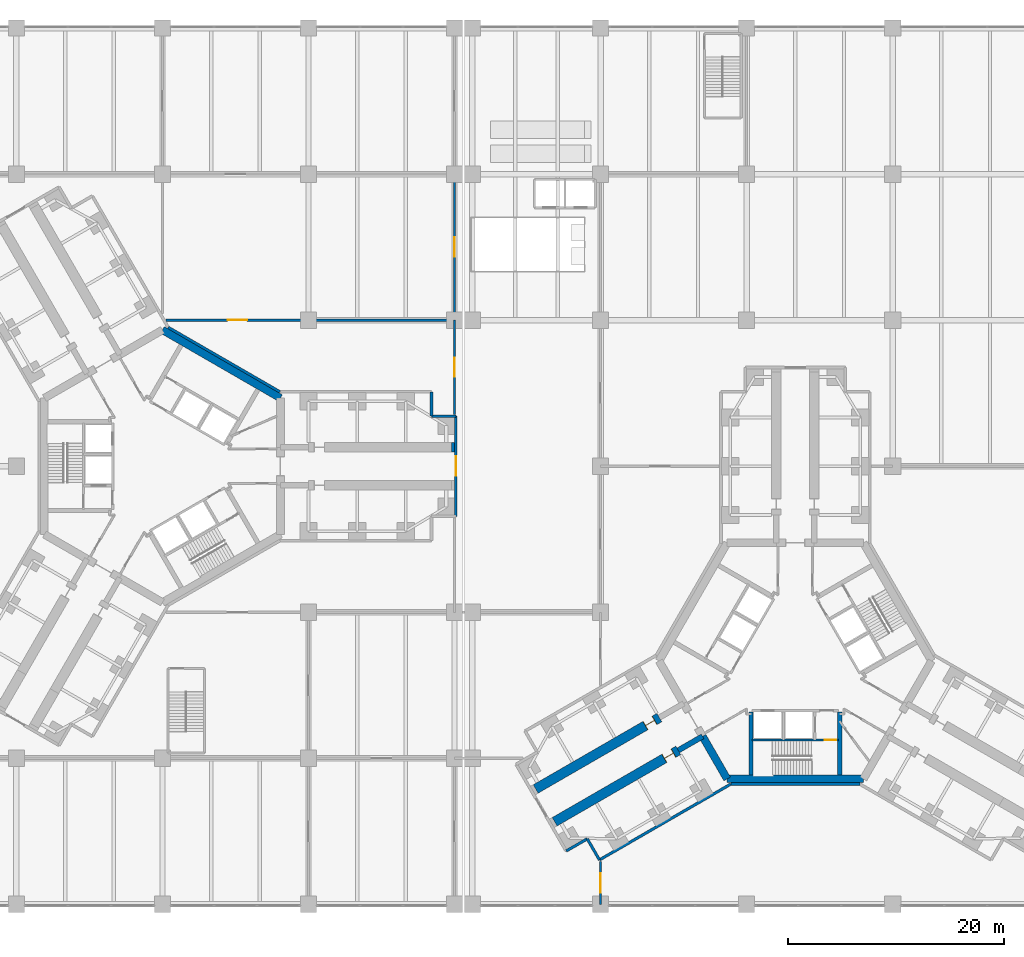
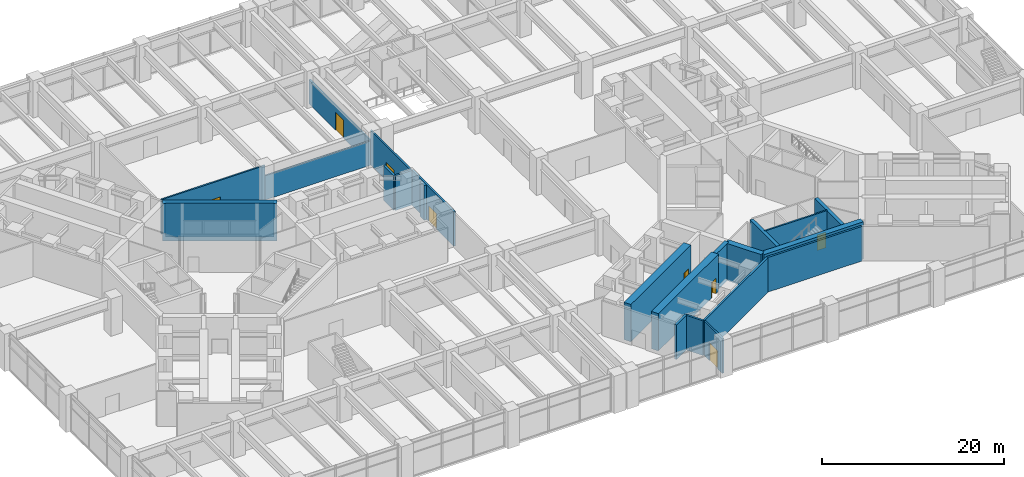
# One storey, part 24 of 32: 23 walls, 8 doors, 8 openings.
"""IFC4 building model written with IfcOpenShell, lengths in metres."""

from ifc_helpers import new_model, si_unit, direction, frame, frame_2d, origin, place, context, subcontext, project, spatial, rectangle, extrude, material, layer, layer_set, type_object, element, fill, save


model = new_model("IFC4")

# Units and contexts
model_context = context("Model", 3, precision=1e-05, world=origin(), true_north=direction((0.0, 1.0)))
body_context = subcontext(model_context, "Body", "Model", "MODEL_VIEW")
ifc_project = project(units=[si_unit("LENGTHUNIT", "METRE"), si_unit("AREAUNIT", "SQUARE_METRE"), si_unit("VOLUMEUNIT", "CUBIC_METRE"), si_unit("PLANEANGLEUNIT", "RADIAN"), si_unit("MASSUNIT", "GRAM", prefix="KILO")], contexts=[model_context])

# Site, building, storey
site_placement = place(None, origin())
site = spatial("IfcSite", under=ifc_project, at=site_placement, CompositionType="ELEMENT")
building_placement = place(site_placement, origin())
building = spatial("IfcBuilding", under=site, at=building_placement, Name="Upepo Twin Towers", CompositionType="ELEMENT")
storey_placement = place(building_placement, frame((0.0, 0.0, 5.5)))
storey = spatial("IfcBuildingStorey", under=building, at=storey_placement, Name="L01", CompositionType="ELEMENT", Elevation=5.5)

# Walls
ifc_material_1 = material(Name="Dense concrete blockwork", Category="masonry")
ifc_layer_1 = layer(ifc_material_1, 0.89990234375)
ifc_layer_set_1 = layer_set([ifc_layer_1], Name="Buttress closer 900, blockwork with fire-stopping to the curtain wall")
wall_type_1 = type_object("IfcWallType", Name="Buttress closer 900, blockwork with fire-stopping to the curtain wall", PredefinedType="PARTITIONING", material=ifc_layer_set_1)
wall_1_placement = place(storey_placement, frame((26.699951171875, 1.75, 0.0), z_axis=(0.0, 0.0, 1.0), x_axis=(1.0, 0.0, 0.0)))
element("IfcWall", 1, at=wall_1_placement, inside=storey, type_object=wall_type_1, Name="T1 L01 wing A buttress closer L", PredefinedType="PARTITIONING", context=body_context, shape_type="SweptSolid", body=[
    extrude(rectangle(XDim=0.300048828125, YDim=0.89990234375, at=frame_2d((0.14990234375, 0.0))), origin(), (0.0, 0.0, 1.0), 4.64990234375),
])
ifc_material_2 = material(Name="Concrete C60/75", Category="concrete")
ifc_layer_2 = layer(ifc_material_2, 0.5)
ifc_layer_set_2 = layer_set([ifc_layer_2], Name="Concrete C60/75")
wall_type_2 = type_object("IfcWallType", Name="Buttress wall 500 RC", PredefinedType="SHEAR", material=ifc_layer_set_2)
wall_2_placement = place(storey_placement, frame((49.92822265625, -24.9697265625, 0.0), z_axis=(0.0, 0.0, 1.0), x_axis=(-0.866031863473, -0.499988811324, 0.0)))
element("IfcWall", 2, at=wall_2_placement, inside=storey, type_object=wall_type_2, Name="T2 wing B buttress wall L", PredefinedType="SHEAR", context=body_context, shape_type="SweptSolid", body=[
    extrude(rectangle(XDim=2.591796875, YDim=0.5, at=frame_2d((1.2958984375, 0.0))), origin(), (0.0, 0.0, 1.0), 5.0),
])

# Wall, opening, door
ifc_material_3 = material(Name="Concrete C60/75", Category="concrete")
ifc_layer_3 = layer(ifc_material_3, 0.89990234375)
ifc_layer_set_3 = layer_set([ifc_layer_3], Name="Concrete C60/75")
wall_type_3 = type_object("IfcWallType", Name="Buttress wall 900 RC", PredefinedType="SHEAR", material=ifc_layer_set_3)
wall_3_placement = place(storey_placement, frame((47.68359375, -26.265625, 0.0), z_axis=(0.0, 0.0, 1.0), x_axis=(-0.866027579429, -0.499996231654, 0.0)))
wall_3 = element("IfcWall", 3, at=wall_3_placement, inside=storey, type_object=wall_type_3, Name="T2 wing B buttress wall L part 2", PredefinedType="SHEAR", context=body_context, shape_type="SweptSolid", body=[
    extrude(rectangle(XDim=13.19970703125, YDim=0.89990234375, at=frame_2d((6.599853515625, 0.0))), origin(), (0.0, 0.0, 1.0), 5.0),
])
opening_1_placement = place(wall_3_placement, frame((0.5, 0.0, 0.0)))
opening_1 = element("IfcOpeningElement", 4, at=opening_1_placement, cuts=wall_3, Name="Opening D1", PredefinedType="OPENING", context=body_context, shape_type="SweptSolid", body=[
    extrude(rectangle(XDim=1.0, YDim=2.10009765625, at=frame_2d((0.5, 1.050048828125))), frame((0.0, 0.4599609375, 0.0), z_axis=(0.0, -1.0, 0.0), x_axis=(1.0, 0.0, 0.0)), (0.0, 0.0, 1.0), 0.919921875),
])
ifc_material_4 = material(Name="Timber doorset", Category="wood")
door_type_1 = type_object("IfcDoorType", Name="Room door 1000 FD30", OperationType="SINGLE_SWING_LEFT", PredefinedType="DOOR", material=ifc_material_4)
door_1_placement = place(opening_1_placement, origin())
door_1 = element("IfcDoor", 5, at=door_1_placement, inside=storey, type_object=door_type_1, Name="T2 L01 faculty office door", OperationType="SINGLE_SWING_LEFT", OverallHeight=2.10009765625, OverallWidth=1.0, PredefinedType="DOOR", context=body_context, shape_type="SweptSolid", body=[
    extrude(rectangle(XDim=0.92, YDim=2.06009765625, at=frame_2d((0.5, 1.030029296875))), frame((0.0, 0.02490234375, 0.0), z_axis=(0.0, -1.0, 0.0), x_axis=(1.0, 0.0, 0.0)), (0.0, 0.0, 1.0), 0.050048828125),
    extrude(rectangle(XDim=0.04, YDim=2.10009765625, at=frame_2d((0.02001953125, 1.050048828125))), frame((0.0, 0.44970703125, 0.0), z_axis=(0.0, -1.0, 0.0), x_axis=(1.0, 0.0, 0.0)), (0.0, 0.0, 1.0), 0.8994140625),
    extrude(rectangle(XDim=0.04, YDim=2.10009765625, at=frame_2d((0.97998046875, 1.050048828125))), frame((0.0, 0.44970703125, 0.0), z_axis=(0.0, -1.0, 0.0), x_axis=(1.0, 0.0, 0.0)), (0.0, 0.0, 1.0), 0.8994140625),
    extrude(rectangle(XDim=0.92, YDim=0.04, at=frame_2d((0.5, 2.080078125))), frame((0.0, 0.44970703125, 0.0), z_axis=(0.0, -1.0, 0.0), x_axis=(1.0, 0.0, 0.0)), (0.0, 0.0, 1.0), 0.8994140625),
])
fill(opening_1, door_1)

wall_4_placement = place(storey_placement, frame((45.93359375, -23.234375, 0.0), z_axis=(0.0, 0.0, 1.0), x_axis=(-0.866019570528, -0.500010103361, 0.0)))
wall_4 = element("IfcWall", 6, at=wall_4_placement, inside=storey, type_object=wall_type_3, Name="T2 wing B buttress wall R part 2", PredefinedType="SHEAR", context=body_context, shape_type="SweptSolid", body=[
    extrude(rectangle(XDim=13.199951171875, YDim=0.89990234375, at=frame_2d((6.60009765625, 0.0))), origin(), (0.0, 0.0, 1.0), 5.0),
])
opening_2_placement = place(wall_4_placement, frame((0.5, 0.0, 0.0)))
opening_2 = element("IfcOpeningElement", 7, at=opening_2_placement, cuts=wall_4, Name="Opening D1", PredefinedType="OPENING", context=body_context, shape_type="SweptSolid", body=[
    extrude(rectangle(XDim=1.0, YDim=2.10009765625, at=frame_2d((0.5, 1.050048828125))), frame((0.0, 0.4599609375, 0.0), z_axis=(0.0, -1.0, 0.0), x_axis=(1.0, 0.0, 0.0)), (0.0, 0.0, 1.0), 0.919921875),
])
door_2_placement = place(opening_2_placement, origin())
door_2 = element("IfcDoor", 8, at=door_2_placement, inside=storey, type_object=door_type_1, Name="T2 L01 faculty office door", OperationType="SINGLE_SWING_LEFT", OverallHeight=2.10009765625, OverallWidth=1.0, PredefinedType="DOOR", context=body_context, shape_type="SweptSolid", body=[
    extrude(rectangle(XDim=0.92, YDim=2.06009765625, at=frame_2d((0.5, 1.030029296875))), frame((0.0, 0.02490234375, 0.0), z_axis=(0.0, -1.0, 0.0), x_axis=(1.0, 0.0, 0.0)), (0.0, 0.0, 1.0), 0.050048828125),
    extrude(rectangle(XDim=0.04, YDim=2.10009765625, at=frame_2d((0.02001953125, 1.050048828125))), frame((0.0, 0.44970703125, 0.0), z_axis=(0.0, -1.0, 0.0), x_axis=(1.0, 0.0, 0.0)), (0.0, 0.0, 1.0), 0.8994140625),
    extrude(rectangle(XDim=0.04, YDim=2.10009765625, at=frame_2d((0.97998046875, 1.050048828125))), frame((0.0, 0.44970703125, 0.0), z_axis=(0.0, -1.0, 0.0), x_axis=(1.0, 0.0, 0.0)), (0.0, 0.0, 1.0), 0.8994140625),
    extrude(rectangle(XDim=0.92, YDim=0.04, at=frame_2d((0.5, 2.080078125))), frame((0.0, 0.44970703125, 0.0), z_axis=(0.0, -1.0, 0.0), x_axis=(1.0, 0.0, 0.0)), (0.0, 0.0, 1.0), 0.8994140625),
])
fill(opening_2, door_2)

# Walls
ifc_material_5 = material(Name="Concrete C60/75", Category="concrete")
ifc_layer_4 = layer(ifc_material_5, 0.699951171875)
ifc_layer_set_4 = layer_set([ifc_layer_4], Name="Concrete C60/75")
wall_type_4 = type_object("IfcWallType", Name="Core wall 700 RC", PredefinedType="SHEAR", material=ifc_layer_set_4)
wall_5_placement = place(storey_placement, frame((10.908447265625, 6.2978515625, 0.0), z_axis=(0.0, 0.0, 1.0), x_axis=(-0.866021940709, 0.500005998175, 0.0)))
element("IfcWall", 9, at=wall_5_placement, inside=storey, type_object=wall_type_4, Name="T1 core wall 060", PredefinedType="SHEAR", context=body_context, shape_type="SweptSolid", body=[
    extrude(rectangle(XDim=12.595947265625, YDim=0.699951171875, at=frame_2d((6.2978515625, 0.0))), origin(), (0.0, 0.0, 1.0), 5.0),
])
wall_6_placement = place(storey_placement, frame((49.92822265625, -24.9697265625, 0.0), z_axis=(0.0, 0.0, 1.0), x_axis=(0.499984222037, -0.866034513004, 0.0)))
element("IfcWall", 10, at=wall_6_placement, inside=storey, type_object=wall_type_4, Name="T2 core wall 120 L", PredefinedType="SHEAR", context=body_context, shape_type="SweptSolid", body=[
    extrude(rectangle(XDim=4.548095703125, YDim=0.699951171875, at=frame_2d((2.27392578125, 0.0))), origin(), (0.0, 0.0, 1.0), 5.0),
])
wall_7_placement = place(storey_placement, frame((52.2021484375, -28.908447265625, 0.0), z_axis=(0.0, 0.0, 1.0), x_axis=(1.0, 0.0, 0.0)))
element("IfcWall", 11, at=wall_7_placement, inside=storey, type_object=wall_type_4, Name="T2 core wall 180", PredefinedType="SHEAR", context=body_context, shape_type="SweptSolid", body=[
    extrude(rectangle(XDim=12.595703125, YDim=0.699951171875, at=frame_2d((6.2978515625, 0.0))), origin(), (0.0, 0.0, 1.0), 5.0),
])

# Wall, opening, door
ifc_material_6 = material(Name="Concrete blockwork", Category="masonry")
ifc_layer_5 = layer(ifc_material_6, 0.199951171875)
ifc_layer_set_5 = layer_set([ifc_layer_5], Name="Podium partition 200 blockwork")
wall_type_5 = type_object("IfcWallType", Name="Podium partition 200 blockwork", PredefinedType="PARTITIONING", material=ifc_layer_set_5)
wall_8_placement = place(storey_placement, frame((0.346435546875, 13.5, 0.0), z_axis=(0.0, 0.0, 1.0), x_axis=(1.0, 0.0, 0.0)))
wall_8 = element("IfcWall", 12, at=wall_8_placement, inside=storey, type_object=wall_type_5, Name="L01 podium wall Y24", PredefinedType="PARTITIONING", context=body_context, shape_type="SweptSolid", body=[
    extrude(rectangle(XDim=13.153564453125, YDim=0.199951171875, at=frame_2d((6.57666015625, 0.0))), origin(), (0.0, 0.0, 1.0), 4.64990234375),
])
opening_3_placement = place(wall_8_placement, frame((5.6767578125, 0.0, 0.0)))
opening_3 = element("IfcOpeningElement", 13, at=opening_3_placement, cuts=wall_8, Name="Opening D10", PredefinedType="OPENING", context=body_context, shape_type="SweptSolid", body=[
    extrude(rectangle(XDim=1.800048828125, YDim=2.39990234375, at=frame_2d((0.89990234375, 1.199951171875))), frame((0.0, 0.10986328125, 0.0), z_axis=(0.0, -1.0, 0.0), x_axis=(1.0, 0.0, 0.0)), (0.0, 0.0, 1.0), 0.219970703125),
])
ifc_material_7 = material(Name="Timber doorset", Category="wood")
door_type_2 = type_object("IfcDoorType", Name="Podium double door 1800", OperationType="DOUBLE_DOOR_DOUBLE_SWING", PredefinedType="DOOR", material=ifc_material_7)
door_3_placement = place(opening_3_placement, origin())
door_3 = element("IfcDoor", 14, at=door_3_placement, inside=storey, type_object=door_type_2, Name="L01 library store-faculty offices 1.02 door", OperationType="DOUBLE_DOOR_DOUBLE_SWING", OverallHeight=2.39990234375, OverallWidth=1.800048828125, PredefinedType="DOOR", context=body_context, shape_type="SweptSolid", body=[
    extrude(rectangle(XDim=1.800048828125, YDim=2.39990234375, at=frame_2d((0.89990234375, 1.199951171875))), frame((0.0, 0.02490234375, 0.0), z_axis=(0.0, -1.0, 0.0), x_axis=(1.0, 0.0, 0.0)), (0.0, 0.0, 1.0), 0.050048828125),
])
fill(opening_3, door_3)

wall_9_placement = place(storey_placement, frame((27.0, 4.800048828125, 0.0), z_axis=(0.0, 0.0, 1.0), x_axis=(0.0, 1.0, 0.0)))
wall_9 = element("IfcWall", 15, at=wall_9_placement, inside=storey, type_object=wall_type_5, Name="L01 podium wall X43", PredefinedType="PARTITIONING", context=body_context, shape_type="SweptSolid", body=[
    extrude(rectangle(XDim=8.699951171875, YDim=0.199951171875, at=frame_2d((4.35009765625, 0.0))), origin(), (0.0, 0.0, 1.0), 4.64990234375),
])
opening_4_placement = place(wall_9_placement, frame((3.449951171875, 0.0, 0.0)))
opening_4 = element("IfcOpeningElement", 16, at=opening_4_placement, cuts=wall_9, Name="Opening D10", PredefinedType="OPENING", context=body_context, shape_type="SweptSolid", body=[
    extrude(rectangle(XDim=1.800048828125, YDim=2.39990234375, at=frame_2d((0.89990234375, 1.199951171875))), frame((0.0, 0.10986328125, 0.0), z_axis=(0.0, -1.0, 0.0), x_axis=(1.0, 0.0, 0.0)), (0.0, 0.0, 1.0), 0.219970703125),
])
door_4_placement = place(opening_4_placement, origin())
door_4 = element("IfcDoor", 17, at=door_4_placement, inside=storey, type_object=door_type_2, Name="L01 library store door", OperationType="DOUBLE_DOOR_DOUBLE_SWING", OverallHeight=2.39990234375, OverallWidth=1.800048828125, PredefinedType="DOOR", context=body_context, shape_type="SweptSolid", body=[
    extrude(rectangle(XDim=1.800048828125, YDim=2.39990234375, at=frame_2d((0.89990234375, 1.199951171875))), frame((0.0, 0.02490234375, 0.0), z_axis=(0.0, -1.0, 0.0), x_axis=(1.0, 0.0, 0.0)), (0.0, 0.0, 1.0), 0.050048828125),
])
fill(opening_4, door_4)

# Wall
wall_10_placement = place(storey_placement, frame((13.5, 13.5, 0.0), z_axis=(0.0, 0.0, 1.0), x_axis=(1.0, 0.0, 0.0)))
element("IfcWall", 18, at=wall_10_placement, inside=storey, type_object=wall_type_5, Name="L01 podium wall Y34", PredefinedType="PARTITIONING", context=body_context, shape_type="SweptSolid", body=[
    extrude(rectangle(XDim=13.5, YDim=0.199951171875, at=frame_2d((6.75, 0.0))), origin(), (0.0, 0.0, 1.0), 3.25),
])

# Wall, opening, door
wall_11_placement = place(storey_placement, frame((27.0, 13.5, 0.0), z_axis=(0.0, 0.0, 1.0), x_axis=(0.0, 1.0, 0.0)))
wall_11 = element("IfcWall", 19, at=wall_11_placement, inside=storey, type_object=wall_type_5, Name="L01 podium wall X44", PredefinedType="PARTITIONING", context=body_context, shape_type="SweptSolid", body=[
    extrude(rectangle(XDim=13.5, YDim=0.199951171875, at=frame_2d((6.75, 0.0))), origin(), (0.0, 0.0, 1.0), 3.25),
])
opening_5_placement = place(wall_11_placement, frame((5.85009765625, 0.0, 0.0)))
opening_5 = element("IfcOpeningElement", 20, at=opening_5_placement, cuts=wall_11, Name="Opening D10", PredefinedType="OPENING", context=body_context, shape_type="SweptSolid", body=[
    extrude(rectangle(XDim=1.800048828125, YDim=2.39990234375, at=frame_2d((0.89990234375, 1.199951171875))), frame((0.0, 0.10986328125, 0.0), z_axis=(0.0, -1.0, 0.0), x_axis=(1.0, 0.0, 0.0)), (0.0, 0.0, 1.0), 0.219970703125),
])
door_5_placement = place(opening_5_placement, origin())
door_5 = element("IfcDoor", 21, at=door_5_placement, inside=storey, type_object=door_type_2, Name="L01 faculty offices 1.02 door", OperationType="DOUBLE_DOOR_DOUBLE_SWING", OverallHeight=2.39990234375, OverallWidth=1.800048828125, PredefinedType="DOOR", context=body_context, shape_type="SweptSolid", body=[
    extrude(rectangle(XDim=1.800048828125, YDim=2.39990234375, at=frame_2d((0.89990234375, 1.199951171875))), frame((0.0, 0.02490234375, 0.0), z_axis=(0.0, -1.0, 0.0), x_axis=(1.0, 0.0, 0.0)), (0.0, 0.0, 1.0), 0.050048828125),
])
fill(opening_5, door_5)

wall_12_placement = place(storey_placement, frame((40.5, -40.5, 0.0), z_axis=(0.0, 0.0, 1.0), x_axis=(0.0, 1.0, 0.0)))
wall_12 = element("IfcWall", 22, at=wall_12_placement, inside=storey, type_object=wall_type_5, Name="L01 podium wall X50", PredefinedType="PARTITIONING", context=body_context, shape_type="SweptSolid", body=[
    extrude(rectangle(XDim=3.967041015625, YDim=0.199951171875, at=frame_2d((1.9833984375, 0.0))), origin(), (0.0, 0.0, 1.0), 4.64990234375),
])
opening_6_placement = place(wall_12_placement, frame((1.08349609375, 0.0, 0.0)))
opening_6 = element("IfcOpeningElement", 23, at=opening_6_placement, cuts=wall_12, Name="Opening D10", PredefinedType="OPENING", context=body_context, shape_type="SweptSolid", body=[
    extrude(rectangle(XDim=1.800048828125, YDim=2.39990234375, at=frame_2d((0.89990234375, 1.199951171875))), frame((0.0, 0.10986328125, 0.0), z_axis=(0.0, -1.0, 0.0), x_axis=(1.0, 0.0, 0.0)), (0.0, 0.0, 1.0), 0.219970703125),
])
door_6_placement = place(opening_6_placement, origin())
door_6 = element("IfcDoor", 24, at=door_6_placement, inside=storey, type_object=door_type_2, Name="L01 library stacks 1.01 door", OperationType="DOUBLE_DOOR_DOUBLE_SWING", OverallHeight=2.39990234375, OverallWidth=1.800048828125, PredefinedType="DOOR", context=body_context, shape_type="SweptSolid", body=[
    extrude(rectangle(XDim=1.800048828125, YDim=2.39990234375, at=frame_2d((0.89990234375, 1.199951171875))), frame((0.0, 0.02490234375, 0.0), z_axis=(0.0, -1.0, 0.0), x_axis=(1.0, 0.0, 0.0)), (0.0, 0.0, 1.0), 0.050048828125),
])
fill(opening_6, door_6)

ifc_material_8 = material(Name="Concrete C40/50", Category="concrete")
ifc_layer_6 = layer(ifc_material_8, 0.199951171875)
ifc_layer_set_6 = layer_set([ifc_layer_6], Name="Concrete C40/50")
wall_type_6 = type_object("IfcWallType", Name="Shaft wall 200 RC", PredefinedType="SHEAR", material=ifc_layer_set_6)
wall_13_placement = place(storey_placement, frame((54.5, -25.300048828125, 0.0), z_axis=(0.0, 0.0, 1.0), x_axis=(1.0, 0.0, 0.0)))
wall_13 = element("IfcWall", 25, at=wall_13_placement, inside=storey, type_object=wall_type_6, Name="T2 core W180 stair wall", PredefinedType="SHEAR", context=body_context, shape_type="SweptSolid", body=[
    extrude(rectangle(XDim=8.0, YDim=0.199951171875, at=frame_2d((4.0, 0.0))), origin(), (0.0, 0.0, 1.0), 5.0),
])
opening_7_placement = place(wall_13_placement, frame((6.699951171875, 0.0, 0.0)))
opening_7 = element("IfcOpeningElement", 26, at=opening_7_placement, cuts=wall_13, Name="Opening D3", PredefinedType="OPENING", context=body_context, shape_type="SweptSolid", body=[
    extrude(rectangle(XDim=1.10009765625, YDim=2.10009765625, at=frame_2d((0.550048828125, 1.050048828125))), frame((0.0, 0.10986328125, 0.0), z_axis=(0.0, -1.0, 0.0), x_axis=(1.0, 0.0, 0.0)), (0.0, 0.0, 1.0), 0.219970703125),
])
ifc_material_9 = material(Name="Timber doorset", Category="wood")
door_type_3 = type_object("IfcDoorType", Name="Stair door 1100 FD60", OperationType="SINGLE_SWING_LEFT", PredefinedType="DOOR", material=ifc_material_9)
door_7_placement = place(opening_7_placement, origin())
door_7 = element("IfcDoor", 27, at=door_7_placement, inside=storey, type_object=door_type_3, Name="T2 L01 stair door", OperationType="SINGLE_SWING_RIGHT", OverallHeight=2.10009765625, OverallWidth=1.10009765625, PredefinedType="DOOR", context=body_context, shape_type="SweptSolid", body=[
    extrude(rectangle(XDim=1.10009765625, YDim=2.10009765625, at=frame_2d((0.550048828125, 1.050048828125))), frame((0.0, 0.02490234375, 0.0), z_axis=(0.0, -1.0, 0.0), x_axis=(1.0, 0.0, 0.0)), (0.0, 0.0, 1.0), 0.050048828125),
])
fill(opening_7, door_7)

# Walls
ifc_material_10 = material(Name="Concrete C40/50", Category="concrete")
ifc_layer_7 = layer(ifc_material_10, 0.39990234375)
ifc_layer_set_7 = layer_set([ifc_layer_7], Name="Concrete C40/50")
wall_type_7 = type_object("IfcWallType", Name="Shaft wall 400 RC", PredefinedType="SHEAR", material=ifc_layer_set_7)
for number, where, z_axis, x_axis, name in (
    (28, (62.60009765625, -22.699951171875, 0.0), (0.0, 0.0, 1.0), (0.0, -1.0, 0.0), "T2 core W180 side wall N"),
    (29, (54.39990234375, -22.699951171875, 0.0), (0.0, 0.0, 1.0), (0.0, -1.0, 0.0), "T2 core W180 side wall S"),
):
    element("IfcWall", number, at=place(storey_placement, frame(where, z_axis=z_axis, x_axis=x_axis)), inside=storey, type_object=wall_type_7, Name=name, PredefinedType="SHEAR", context=body_context, shape_type="SweptSolid", body=[
        extrude(rectangle(XDim=5.8583984375, YDim=0.39990234375, at=frame_2d((2.92919921875, 0.0))), origin(), (0.0, 0.0, 1.0), 5.0),
    ])
ifc_material_11 = material(Name="Concrete blockwork", Category="masonry")
ifc_layer_8 = layer(ifc_material_11, 0.25)
ifc_layer_set_8 = layer_set([ifc_layer_8], Name="Tower enclosure wall 250 blockwork")
wall_type_8 = type_object("IfcWallType", Name="Tower enclosure wall 250 blockwork", PredefinedType="STANDARD", material=ifc_layer_set_8)
wall_14_placement = place(storey_placement, frame((0.5244140625, 12.841552734375, 0.0), z_axis=(0.0, 0.0, 1.0), x_axis=(0.866027502425, -0.499996365031, 0.0)))
element("IfcWall", 30, at=wall_14_placement, inside=storey, type_object=wall_type_8, Name="T1 L01 enclosure wall 14", PredefinedType="STANDARD", context=body_context, shape_type="SweptSolid", body=[
    extrude(rectangle(XDim=11.93310546875, YDim=0.25, at=frame_2d((5.966552734375, 0.0))), origin(), (0.0, 0.0, 1.0), 4.64990234375),
])
for number, where, z_axis, x_axis, name in (
    (31, (24.875, 6.875, 0.0), (0.0, 0.0, 1.0), (0.0, -1.0, 0.0), "T1 L01 enclosure wall 16"),
    (32, (24.875, 4.625, 0.0), (0.0, 0.0, 1.0), (1.0, 0.0, 0.0), "T1 L01 enclosure wall 17"),
):
    element("IfcWall", number, at=place(storey_placement, frame(where, z_axis=z_axis, x_axis=x_axis)), inside=storey, type_object=wall_type_8, Name=name, PredefinedType="STANDARD", context=body_context, shape_type="SweptSolid", body=[
        extrude(rectangle(XDim=2.25, YDim=0.25, at=frame_2d((1.125, 0.0))), origin(), (0.0, 0.0, 1.0), 4.64990234375),
    ])

# Wall, opening, door
wall_15_placement = place(storey_placement, frame((27.125, 4.625, 0.0), z_axis=(0.0, 0.0, 1.0), x_axis=(0.0, -1.0, 0.0)))
wall_15 = element("IfcWall", 33, at=wall_15_placement, inside=storey, type_object=wall_type_8, Name="T1 L01 enclosure wall 18", PredefinedType="STANDARD", context=body_context, shape_type="SweptSolid", body=[
    extrude(rectangle(XDim=9.25, YDim=0.25, at=frame_2d((4.625, 0.0))), origin(), (0.0, 0.0, 1.0), 4.64990234375),
])
opening_8_placement = place(wall_15_placement, frame((3.72509765625, 0.0, 0.0)))
opening_8 = element("IfcOpeningElement", 34, at=opening_8_placement, cuts=wall_15, Name="Opening D2", PredefinedType="OPENING", context=body_context, shape_type="SweptSolid", body=[
    extrude(rectangle(XDim=1.800048828125, YDim=2.10009765625, at=frame_2d((0.89990234375, 1.050048828125))), frame((0.0, 0.135009765625, 0.0), z_axis=(0.0, -1.0, 0.0), x_axis=(1.0, 0.0, 0.0)), (0.0, 0.0, 1.0), 0.27001953125),
])
ifc_material_12 = material(Name="Timber doorset", Category="wood")
door_type_4 = type_object("IfcDoorType", Name="Corridor double door 1800 FD60", OperationType="DOUBLE_DOOR_DOUBLE_SWING", PredefinedType="DOOR", material=ifc_material_12)
door_8_placement = place(opening_8_placement, origin())
door_8 = element("IfcDoor", 35, at=door_8_placement, inside=storey, type_object=door_type_4, Name="T1 L01 wing A podium door", OperationType="DOUBLE_DOOR_DOUBLE_SWING", OverallHeight=2.10009765625, OverallWidth=1.800048828125, PredefinedType="DOOR", context=body_context, shape_type="SweptSolid", body=[
    extrude(rectangle(XDim=1.800048828125, YDim=2.10009765625, at=frame_2d((0.89990234375, 1.050048828125))), frame((0.0, 0.02490234375, 0.0), z_axis=(0.0, -1.0, 0.0), x_axis=(1.0, 0.0, 0.0)), (0.0, 0.0, 1.0), 0.050048828125),
])
fill(opening_8, door_8)

# Walls
wall_16_placement = place(storey_placement, frame((64.466552734375, -29.38330078125, 0.0), z_axis=(0.0, 0.0, 1.0), x_axis=(-1.0, 0.0, 0.0)))
element("IfcWall", 36, at=wall_16_placement, inside=storey, type_object=wall_type_8, Name="T2 L01 enclosure wall 6", PredefinedType="STANDARD", context=body_context, shape_type="SweptSolid", body=[
    extrude(rectangle(XDim=11.93310546875, YDim=0.25, at=frame_2d((5.966552734375, 0.0))), origin(), (0.0, 0.0, 1.0), 4.64990234375),
])
wall_17_placement = place(storey_placement, frame((52.533447265625, -29.38330078125, 0.0), z_axis=(0.0, 0.0, 1.0), x_axis=(-0.866027500821, -0.499996367808, 0.0)))
element("IfcWall", 37, at=wall_17_placement, inside=storey, type_object=wall_type_8, Name="T2 L01 enclosure wall 7", PredefinedType="STANDARD", context=body_context, shape_type="SweptSolid", body=[
    extrude(rectangle(XDim=14.01611328125, YDim=0.25, at=frame_2d((7.008056640625, 0.0))), origin(), (0.0, 0.0, 1.0), 4.64990234375),
])
for number, where, z_axis, x_axis, name in (
    (38, (40.39501953125, -36.391357421875, 0.0), (0.0, 0.0, 1.0), (-0.500013631625, 0.866017533419, 0.0), "T2 L01 enclosure wall 8"),
    (39, (39.27001953125, -34.44287109375, 0.0), (0.0, 0.0, 1.0), (-0.866017533419, -0.500013631625, 0.0), "T2 L01 enclosure wall 9"),
):
    element("IfcWall", number, at=place(storey_placement, frame(where, z_axis=z_axis, x_axis=x_axis)), inside=storey, type_object=wall_type_8, Name=name, PredefinedType="STANDARD", context=body_context, shape_type="SweptSolid", body=[
        extrude(rectangle(XDim=2.25, YDim=0.25, at=frame_2d((1.125, 0.0))), origin(), (0.0, 0.0, 1.0), 4.64990234375),
    ])

save(model, "model.ifc")
